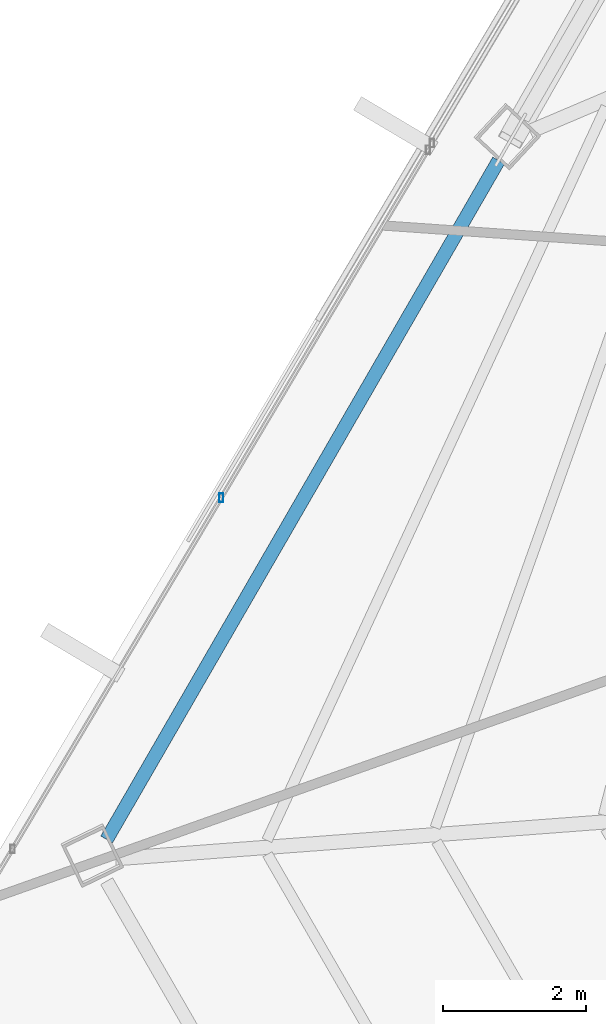
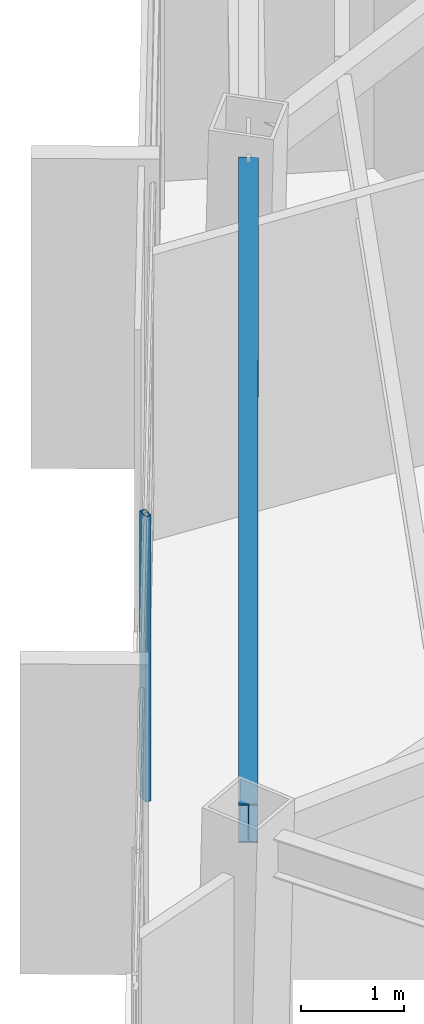
# One storey, part 9 of 46: 1 beam, 1 member, 1 element without a shape of its own.
"""IFC4 building model written with IfcOpenShell, lengths in metres."""

from ifc_helpers import new_model, si_unit, direction, frame, origin, origin_2d, place, context, subcontext, project, spatial, hollow_rectangle, i_section, extrude, source, transform, mapped, material, material_profile, profile_set, type_object, type_shapes, element, aggregate, save


model = new_model("IFC4")

# Units and contexts
model_context = context("Model", 3, precision=1e-05, world=origin(), true_north=direction((0.0, 1.0)))
body_context = subcontext(model_context, "Body", "Model", "MODEL_VIEW")
ifc_project = project(units=[si_unit("LENGTHUNIT", "METRE"), si_unit("AREAUNIT", "SQUARE_METRE"), si_unit("VOLUMEUNIT", "CUBIC_METRE"), si_unit("PLANEANGLEUNIT", "RADIAN"), si_unit("MASSUNIT", "GRAM", prefix="KILO")], contexts=[model_context])

# Site, building, storey
site_placement = place(None, origin())
site = spatial("IfcSite", under=ifc_project, at=site_placement, CompositionType="ELEMENT")
building_placement = place(site_placement, origin())
building = spatial("IfcBuilding", under=site, at=building_placement, Name="Caelisora Broadcast Tower", CompositionType="ELEMENT")
storey_placement = place(building_placement, frame((0.0, 0.0, 237.14990234375)))
storey = spatial("IfcBuildingStorey", under=building, at=storey_placement, Name="L62", CompositionType="ELEMENT", Elevation=237.14990234375)

# Beam
ifc_material_1 = material(Name="Steel Grade 350 (AS/NZS 3679.1)", Category="steel")
ifc_material_profile_1 = material_profile(ifc_material_1, i_section(OverallWidth=0.19091796875, OverallDepth=0.46044921875, WebThickness=0.010009765625, FlangeThickness=0.01611328125, at=origin_2d()), Name="Steel Grade 350 (AS/NZS 3679.1)")
ifc_profile_set_1 = profile_set([ifc_material_profile_1], Name="Steel Grade 350 (AS/NZS 3679.1)")
beam_type = type_object("IfcBeamType", Name="PG06", PredefinedType="BEAM", material=ifc_profile_set_1)
shared_shape_1 = source(origin(), body_context, "Body", "SweptSolid", [
    extrude(i_section(OverallWidth=0.19091796875, OverallDepth=0.46044921875, WebThickness=0.010009765625, FlangeThickness=0.01611328125, at=origin_2d()), origin(), (0.0, 0.0, 1.0), 10.9931640625),
])
type_shapes(beam_type, [shared_shape_1])
beam_placement = place(storey_placement, frame((21.943115234375, 26.142822265625, 3.169921875), z_axis=(-0.500003768561, -0.866023227994, 0.0), x_axis=(0.866023227994, -0.500003768561, 0.0)))
element("IfcBeam", 1, at=beam_placement, inside=storey, type_object=beam_type, Name="L62 beam PG06", PredefinedType="BEAM", context=body_context, shape_type="MappedRepresentation", body=[
    mapped(shared_shape_1, transform((0.0, 0.0, 0.0), scale=1.0)),
])

# Curtain wall, member
ifc_material_2 = material(Name="Unitised Aluminium and Low-E Glass Curtain Wall", Category="glass")
curtain_wall_type = type_object("IfcCurtainWallType", Name="CW-Z5", PredefinedType="NOTDEFINED", material=ifc_material_2)
curtain_wall_placement = place(storey_placement, origin())
curtain_wall = element("IfcCurtainWall", 2, at=curtain_wall_placement, inside=storey, type_object=curtain_wall_type, Name="L62 curtain wall CW-Z5", PredefinedType="NOTDEFINED")
ifc_material_3 = material(Name="Aluminium 6063-T6 Anodised Terracotta Bronze", Category="aluminium")
ifc_material_profile_2 = material_profile(ifc_material_3, hollow_rectangle(XDim=0.06005859375, YDim=0.1201171875, WallThickness=0.0029296875, at=origin_2d()), Name="Aluminium 6063-T6 Anodised Terracotta Bronze")
ifc_profile_set_2 = profile_set([ifc_material_profile_2], Name="Aluminium 6063-T6 Anodised Terracotta Bronze")
member_type = type_object("IfcMemberType", Name="CWM-04", PredefinedType="MULLION", material=ifc_profile_set_2)
shared_shape_2 = source(origin(), body_context, "Body", "SweptSolid", [
    extrude(hollow_rectangle(XDim=0.06005859375, YDim=0.1201171875, WallThickness=0.0029296875, at=origin_2d()), origin(), (0.0, 0.0, 1.0), 3.400146484375),
])
type_shapes(member_type, [shared_shape_2])
member_placement = place(storey_placement, frame((18.053466796875, 21.413818359375, 0.0), z_axis=(0.0, 0.0, 1.0), x_axis=(1.0, 0.0, 0.0)))
member = element("IfcMember", 3, at=member_placement, type_object=member_type, Name="L62-CW-B09 mullion #2", PredefinedType="MULLION", context=body_context, shape_type="MappedRepresentation", body=[
    mapped(shared_shape_2, transform((0.0, 0.0, 0.0), scale=1.0)),
])
aggregate(curtain_wall, [member])

save(model, "model.ifc")
